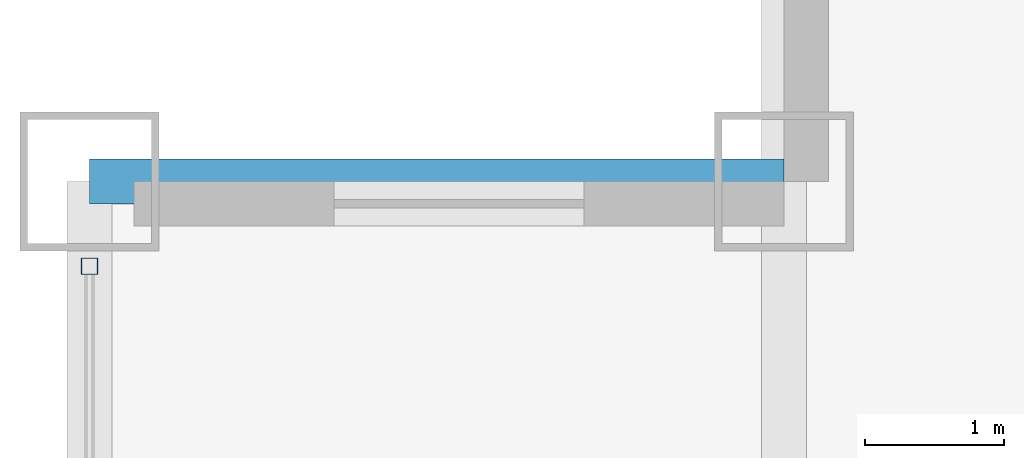
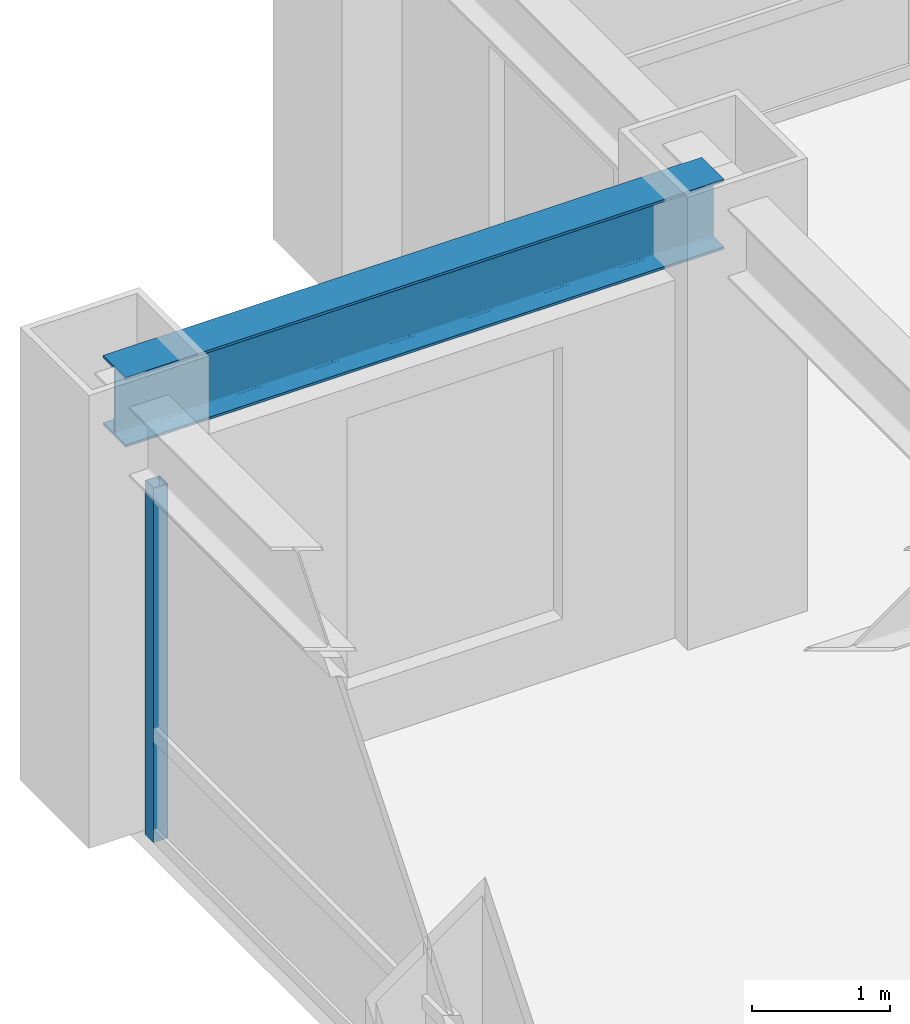
# One storey, part 12 of 25: 1 beam, 1 member, 1 element without a shape of its own.
"""IFC4 building model written with IfcOpenShell, lengths in metres."""

from ifc_helpers import new_model, si_unit, direction, frame, origin, origin_2d, place, context, subcontext, project, spatial, hollow_rectangle, i_section, extrude, source, transform, mapped, material, material_profile, profile_set, type_object, element, aggregate, save


model = new_model("IFC4")

# Units and contexts
model_context = context("Model", 3, precision=1e-05, world=origin(), true_north=direction((0.0, 1.0)))
body_context = subcontext(model_context, "Body", "Model", "MODEL_VIEW")
ifc_project = project(units=[si_unit("LENGTHUNIT", "METRE"), si_unit("AREAUNIT", "SQUARE_METRE"), si_unit("VOLUMEUNIT", "CUBIC_METRE"), si_unit("PLANEANGLEUNIT", "RADIAN"), si_unit("MASSUNIT", "GRAM", prefix="KILO")], contexts=[model_context])

# Site, building, storey
site_placement = place(None, origin())
site = spatial("IfcSite", under=ifc_project, at=site_placement, CompositionType="ELEMENT")
building_placement = place(site_placement, origin())
building = spatial("IfcBuilding", under=site, at=building_placement, Name="Khorayat Bourse Tower", CompositionType="ELEMENT")
storey_placement = place(building_placement, frame((0.0, 0.0, 231.10009765625)))
storey = spatial("IfcBuildingStorey", under=building, at=storey_placement, Name="L54", CompositionType="ELEMENT", Elevation=231.10009765625)

# Beam
ifc_material_1 = material(Name="Steel ASTM A992 Grade 50", Category="steel")
ifc_material_profile_1 = material_profile(ifc_material_1, i_section(OverallWidth=0.324951171875, OverallDepth=0.615966796875, WebThickness=0.013916015625, FlangeThickness=0.021484375, FilletRadius=0.01611328125, at=origin_2d()), Name="W610X174")
ifc_profile_set_1 = profile_set([ifc_material_profile_1], Name="Steel ASTM A992 Grade 50")
beam_type = type_object("IfcBeamType", Name="BM-SPAN-610", PredefinedType="SPANDREL", material=ifc_profile_set_1)
shared_shape_1 = source(origin(), body_context, "Body", "SweptSolid", [
    extrude(i_section(OverallWidth=0.324951171875, OverallDepth=0.615966796875, WebThickness=0.013916015625, FlangeThickness=0.021484375, FilletRadius=0.01611328125, at=origin_2d()), origin(), (0.0, 0.0, 1.0), 5.0),
])
beam_placement = place(storey_placement, frame((-30.0, 25.0, 3.471923828125), z_axis=(1.0, 0.0, 0.0), x_axis=(0.0, 1.0, 0.0)))
element("IfcBeam", 1, at=beam_placement, inside=storey, type_object=beam_type, Name="L54 BM-SPAN-610 BM-L54-SPN-053", PredefinedType="SPANDREL", context=body_context, shape_type="MappedRepresentation", body=[
    mapped(shared_shape_1, transform((0.0, 0.0, 0.0), scale=1.0)),
])

# Curtain wall, member
ifc_material_2 = material(Name="Aluminium EN AW-6063 T6", Category="aluminium")
curtain_wall_type = type_object("IfcCurtainWallType", Name="CW-SYS-03", PredefinedType="NOTDEFINED", material=ifc_material_2)
curtain_wall_placement = place(storey_placement, origin())
curtain_wall = element("IfcCurtainWall", 2, at=curtain_wall_placement, inside=storey, type_object=curtain_wall_type, Name="L54 Curtain Wall CW-L54-W1", PredefinedType="NOTDEFINED")
ifc_material_profile_2 = material_profile(ifc_material_2, hollow_rectangle(XDim=0.1201171875, YDim=0.1201171875, WallThickness=0.0048828125, at=origin_2d()), Name="ALU 120x120x5")
ifc_profile_set_2 = profile_set([ifc_material_profile_2], Name="Aluminium EN AW-6063 T6")
member_type = type_object("IfcMemberType", Name="CWM-VERT-120", PredefinedType="MULLION", material=ifc_profile_set_2)
shared_shape_2 = source(origin(), body_context, "Body", "SweptSolid", [
    extrude(hollow_rectangle(XDim=0.1201171875, YDim=0.1201171875, WallThickness=0.0048828125, at=origin_2d()), origin(), (0.0, 0.0, 1.0), 3.1298828125),
])
member_placement = place(storey_placement, frame((-30.0, 24.389892578125, 0.0), z_axis=(0.0, 0.0, 1.0), x_axis=(-1.0, 0.0, 0.0)))
member = element("IfcMember", 3, at=member_placement, type_object=member_type, Name="CW-L54-W1 Vertical Mullion 3", PredefinedType="MULLION", context=body_context, shape_type="MappedRepresentation", body=[
    mapped(shared_shape_2, transform((0.0, 0.0, 0.0), scale=1.0)),
])
aggregate(curtain_wall, [member])

save(model, "model.ifc")
